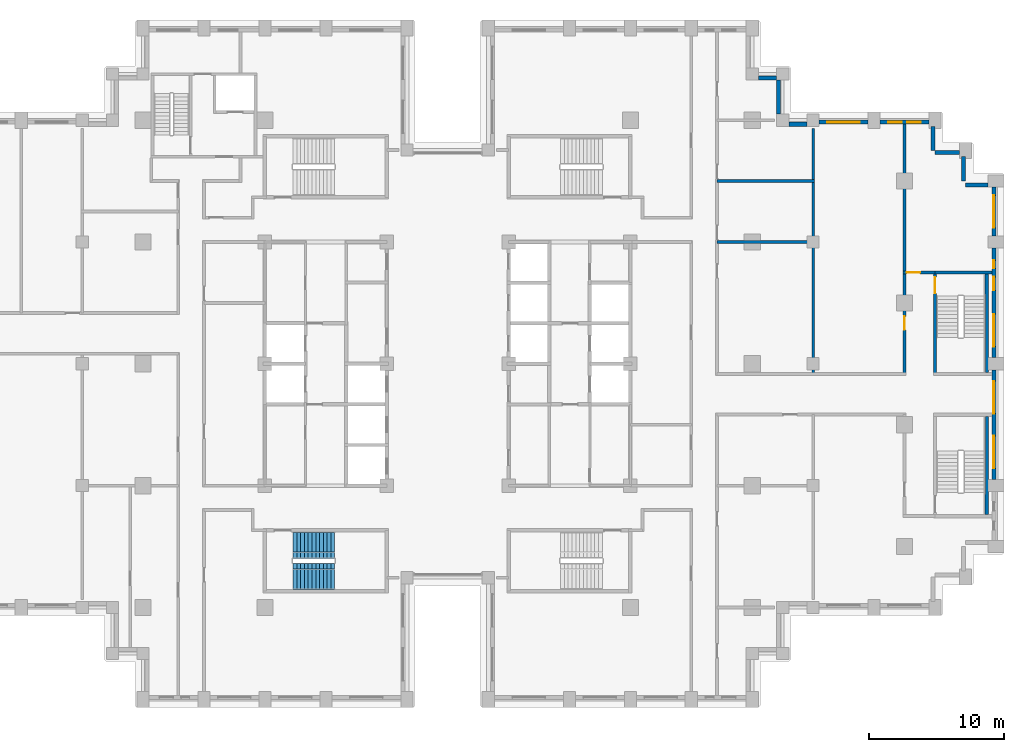
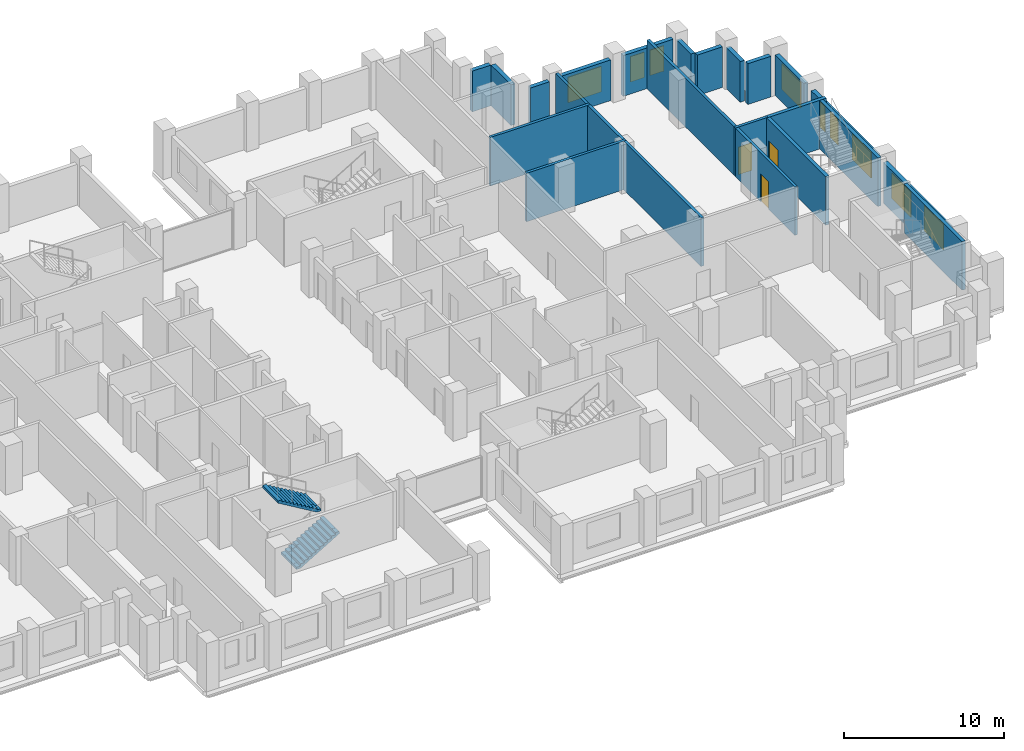
# One storey, part 12 of 15: 21 walls, 9 windows, 3 doors, 2 stair flights, 12 openings, 1 element without a shape of its own.
"""IFC4 building model written with IfcOpenShell, lengths in metres."""

from ifc_helpers import new_model, si_unit, direction, frame, frame_2d, origin, place, context, subcontext, project, spatial, polyline, rectangle, outline, extrude, material, layer, layer_set, type_object, element, fill, aggregate, save


model = new_model("IFC4")

# Units and contexts
model_context = context("Model", 3, precision=1e-05, world=origin(), true_north=direction((0.0, 1.0)))
body_context = subcontext(model_context, "Body", "Model", "MODEL_VIEW")
ifc_project = project(units=[si_unit("LENGTHUNIT", "METRE"), si_unit("AREAUNIT", "SQUARE_METRE"), si_unit("VOLUMEUNIT", "CUBIC_METRE"), si_unit("PLANEANGLEUNIT", "RADIAN"), si_unit("MASSUNIT", "GRAM", prefix="KILO")], contexts=[model_context])

# Site, building, storey
site_placement = place(None, origin())
site = spatial("IfcSite", under=ifc_project, at=site_placement, CompositionType="ELEMENT")
building_placement = place(site_placement, origin())
building = spatial("IfcBuilding", under=site, at=building_placement, Name="Corbelhall Arena Tower", CompositionType="ELEMENT")
storey_placement = place(building_placement, frame((0.0, 0.0, 96.0)))
storey = spatial("IfcBuildingStorey", under=building, at=storey_placement, Name="L16", CompositionType="ELEMENT", Elevation=96.0)

# Walls
ifc_material_1 = material(Name="Precast concrete C40/50 with granite facing", Category="masonry")
ifc_layer_1 = layer(ifc_material_1, 0.300048828125)
ifc_layer_set_1 = layer_set([ifc_layer_1], Name="EV-IW1 Infill panel 300")
wall_type_1 = type_object("IfcWallType", Name="EV-IW1 Infill panel 300", PredefinedType="SOLIDWALL", material=ifc_layer_set_1)
wall_1_placement = place(storey_placement, frame((39.89990234375, 13.199951171875, 0.0), z_axis=(0.0, 0.0, 1.0), x_axis=(-1.0, 0.0, 0.0)))
element("IfcWall", 1, at=wall_1_placement, inside=storey, type_object=wall_type_1, Name="Infill panel IW1", PredefinedType="SOLIDWALL", context=body_context, shape_type="SweptSolid", body=[
    extrude(rectangle(XDim=1.64990234375, YDim=0.300048828125, at=frame_2d((0.824951171875, 0.0))), origin(), (0.0, 0.0, 1.0), 3.10009765625),
])
for number, where, z_axis, x_axis, name in (
    (2, (38.10009765625, 15.300048828125, 0.0), (0.0, 0.0, 1.0), (0.0, -1.0, 0.0), "Infill panel IW1"),
    (3, (37.800048828125, 15.60009765625, 0.0), (0.0, 0.0, 1.0), (-1.0, 0.0, 0.0), "Infill panel IW1"),
    (4, (35.85009765625, 17.550048828125, 0.0), (0.0, 0.0, 1.0), (0.0, -1.0, 0.0), "Infill panel IW1"),
):
    element("IfcWall", number, at=place(storey_placement, frame(where, z_axis=z_axis, x_axis=x_axis)), inside=storey, type_object=wall_type_1, Name=name, PredefinedType="SOLIDWALL", context=body_context, shape_type="SweptSolid", body=[
        extrude(rectangle(XDim=1.800048828125, YDim=0.300048828125, at=frame_2d((0.89990234375, 0.0))), origin(), (0.0, 0.0, 1.0), 3.10009765625),
    ])

# Wall, openings, windows
wall_2_placement = place(storey_placement, frame((40.35009765625, -8.550048828125, 0.0), z_axis=(0.0, 0.0, 1.0), x_axis=(0.0, 1.0, 0.0)))
wall_2 = element("IfcWall", 5, at=wall_2_placement, inside=storey, type_object=wall_type_1, Name="Infill panel IW1", PredefinedType="SOLIDWALL", context=body_context, shape_type="SweptSolid", body=[
    extrude(rectangle(XDim=8.10009765625, YDim=0.300048828125, at=frame_2d((4.050048828125, 0.0))), origin(), (0.0, 0.0, 1.0), 3.10009765625),
])
opening_1_placement = place(wall_2_placement, frame((0.824951171875, 0.0, 0.800048828125)))
opening_1 = element("IfcOpeningElement", 6, at=opening_1_placement, cuts=wall_2, Name="Opening WN1", PredefinedType="OPENING", context=body_context, shape_type="SweptSolid", body=[
    extrude(rectangle(XDim=2.39990234375, YDim=1.949951171875, at=frame_2d((1.199951171875, 0.97509765625))), frame((0.0, 0.14990234375, 0.0), z_axis=(0.0, -1.0, 0.0), x_axis=(1.0, 0.0, 0.0)), (0.0, 0.0, 1.0), 0.300048828125),
])
opening_2_placement = place(wall_2_placement, frame((4.875, 0.0, 0.800048828125)))
opening_2 = element("IfcOpeningElement", 7, at=opening_2_placement, cuts=wall_2, Name="Opening WN1", PredefinedType="OPENING", context=body_context, shape_type="SweptSolid", body=[
    extrude(rectangle(XDim=2.39990234375, YDim=1.949951171875, at=frame_2d((1.199951171875, 0.97509765625))), frame((0.0, 0.14990234375, 0.0), z_axis=(0.0, -1.0, 0.0), x_axis=(1.0, 0.0, 0.0)), (0.0, 0.0, 1.0), 0.300048828125),
])
ifc_material_2 = material(Name="Aluminium black anodised", Category="aluminium")
window_type_1 = type_object("IfcWindowType", Name="EV-WN1 Office window", PartitioningType="SINGLE_PANEL", PredefinedType="WINDOW", material=ifc_material_2)
window_1_placement = place(opening_1_placement, origin())
window_1 = element("IfcWindow", 8, at=window_1_placement, inside=storey, type_object=window_type_1, Name="Window WN1", OverallHeight=1.949951171875, OverallWidth=2.39990234375, PartitioningType="SINGLE_PANEL", PredefinedType="WINDOW", context=body_context, shape_type="SweptSolid", body=[
    extrude(rectangle(XDim=2.39990234375, YDim=1.949951171875, at=frame_2d((1.199951171875, 0.97509765625))), frame((0.0, 0.030029296875, 0.0), z_axis=(0.0, -1.0, 0.0), x_axis=(1.0, 0.0, 0.0)), (0.0, 0.0, 1.0), 0.06005859375),
])
fill(opening_1, window_1)
window_2_placement = place(opening_2_placement, origin())
window_2 = element("IfcWindow", 9, at=window_2_placement, inside=storey, type_object=window_type_1, Name="Window WN1", OverallHeight=1.949951171875, OverallWidth=2.39990234375, PartitioningType="SINGLE_PANEL", PredefinedType="WINDOW", context=body_context, shape_type="SweptSolid", body=[
    extrude(rectangle(XDim=2.39990234375, YDim=1.949951171875, at=frame_2d((1.199951171875, 0.97509765625))), frame((0.0, 0.030029296875, 0.0), z_axis=(0.0, -1.0, 0.0), x_axis=(1.0, 0.0, 0.0)), (0.0, 0.0, 1.0), 0.06005859375),
])
fill(opening_2, window_2)

wall_3_placement = place(storey_placement, frame((40.35009765625, 0.449951171875, 0.0), z_axis=(0.0, 0.0, 1.0), x_axis=(0.0, 1.0, 0.0)))
wall_3 = element("IfcWall", 10, at=wall_3_placement, inside=storey, type_object=wall_type_1, Name="Infill panel IW1", PredefinedType="SOLIDWALL", context=body_context, shape_type="SweptSolid", body=[
    extrude(rectangle(XDim=8.10009765625, YDim=0.300048828125, at=frame_2d((4.050048828125, 0.0))), origin(), (0.0, 0.0, 1.0), 3.10009765625),
])
opening_3_placement = place(wall_3_placement, frame((0.824951171875, 0.0, 0.800048828125)))
opening_3 = element("IfcOpeningElement", 11, at=opening_3_placement, cuts=wall_3, Name="Opening WN1", PredefinedType="OPENING", context=body_context, shape_type="SweptSolid", body=[
    extrude(rectangle(XDim=2.39990234375, YDim=1.949951171875, at=frame_2d((1.199951171875, 0.97509765625))), frame((0.0, 0.14990234375, 0.0), z_axis=(0.0, -1.0, 0.0), x_axis=(1.0, 0.0, 0.0)), (0.0, 0.0, 1.0), 0.300048828125),
])
opening_4_placement = place(wall_3_placement, frame((4.97509765625, 0.0, 0.800048828125)))
opening_4 = element("IfcOpeningElement", 12, at=opening_4_placement, cuts=wall_3, Name="Opening WN6", PredefinedType="OPENING", context=body_context, shape_type="SweptSolid", body=[
    extrude(rectangle(XDim=1.0, YDim=1.949951171875, at=frame_2d((0.5, 0.97509765625))), frame((0.0, 0.14990234375, 0.0), z_axis=(0.0, -1.0, 0.0), x_axis=(1.0, 0.0, 0.0)), (0.0, 0.0, 1.0), 0.300048828125),
])
opening_5_placement = place(wall_3_placement, frame((6.60009765625, 0.0, 0.800048828125)))
opening_5 = element("IfcOpeningElement", 13, at=opening_5_placement, cuts=wall_3, Name="Opening WN5", PredefinedType="OPENING", context=body_context, shape_type="SweptSolid", body=[
    extrude(rectangle(XDim=0.60009765625, YDim=1.949951171875, at=frame_2d((0.300048828125, 0.97509765625))), frame((0.0, 0.14990234375, 0.0), z_axis=(0.0, -1.0, 0.0), x_axis=(1.0, 0.0, 0.0)), (0.0, 0.0, 1.0), 0.300048828125),
])
window_3_placement = place(opening_3_placement, origin())
window_3 = element("IfcWindow", 14, at=window_3_placement, inside=storey, type_object=window_type_1, Name="Window WN1", OverallHeight=1.949951171875, OverallWidth=2.39990234375, PartitioningType="SINGLE_PANEL", PredefinedType="WINDOW", context=body_context, shape_type="SweptSolid", body=[
    extrude(rectangle(XDim=2.39990234375, YDim=1.949951171875, at=frame_2d((1.199951171875, 0.97509765625))), frame((0.0, 0.030029296875, 0.0), z_axis=(0.0, -1.0, 0.0), x_axis=(1.0, 0.0, 0.0)), (0.0, 0.0, 1.0), 0.06005859375),
])
fill(opening_3, window_3)
window_type_2 = type_object("IfcWindowType", Name="EV-WN5 Office window 600", PartitioningType="SINGLE_PANEL", PredefinedType="WINDOW", material=ifc_material_2)
window_4_placement = place(opening_5_placement, origin())
window_4 = element("IfcWindow", 15, at=window_4_placement, inside=storey, type_object=window_type_2, Name="Window WN5", OverallHeight=1.949951171875, OverallWidth=0.60009765625, PartitioningType="SINGLE_PANEL", PredefinedType="WINDOW", context=body_context, shape_type="SweptSolid", body=[
    extrude(rectangle(XDim=0.60009765625, YDim=1.949951171875, at=frame_2d((0.300048828125, 0.97509765625))), frame((0.0, 0.030029296875, 0.0), z_axis=(0.0, -1.0, 0.0), x_axis=(1.0, 0.0, 0.0)), (0.0, 0.0, 1.0), 0.06005859375),
])
fill(opening_5, window_4)
window_type_3 = type_object("IfcWindowType", Name="EV-WN6 Office window 1000", PartitioningType="SINGLE_PANEL", PredefinedType="WINDOW", material=ifc_material_2)
window_5_placement = place(opening_4_placement, origin())
window_5 = element("IfcWindow", 16, at=window_5_placement, inside=storey, type_object=window_type_3, Name="Window WN6", OverallHeight=1.949951171875, OverallWidth=1.0, PartitioningType="SINGLE_PANEL", PredefinedType="WINDOW", context=body_context, shape_type="SweptSolid", body=[
    extrude(rectangle(XDim=1.0, YDim=1.949951171875, at=frame_2d((0.5, 0.97509765625))), frame((0.0, 0.030029296875, 0.0), z_axis=(0.0, -1.0, 0.0), x_axis=(1.0, 0.0, 0.0)), (0.0, 0.0, 1.0), 0.06005859375),
])
fill(opening_4, window_5)

# Wall, opening, window
wall_4_placement = place(storey_placement, frame((40.35009765625, 9.449951171875, 0.0), z_axis=(0.0, 0.0, 1.0), x_axis=(0.0, 1.0, 0.0)))
wall_4 = element("IfcWall", 17, at=wall_4_placement, inside=storey, type_object=wall_type_1, Name="Infill panel IW1", PredefinedType="SOLIDWALL", context=body_context, shape_type="SweptSolid", body=[
    extrude(rectangle(XDim=3.60009765625, YDim=0.300048828125, at=frame_2d((1.800048828125, 0.0))), origin(), (0.0, 0.0, 1.0), 3.10009765625),
])
opening_6_placement = place(wall_4_placement, frame((0.60009765625, 0.0, 0.800048828125)))
opening_6 = element("IfcOpeningElement", 18, at=opening_6_placement, cuts=wall_4, Name="Opening WN1", PredefinedType="OPENING", context=body_context, shape_type="SweptSolid", body=[
    extrude(rectangle(XDim=2.39990234375, YDim=1.949951171875, at=frame_2d((1.199951171875, 0.97509765625))), frame((0.0, 0.14990234375, 0.0), z_axis=(0.0, -1.0, 0.0), x_axis=(1.0, 0.0, 0.0)), (0.0, 0.0, 1.0), 0.300048828125),
])
window_6_placement = place(opening_6_placement, origin())
window_6 = element("IfcWindow", 19, at=window_6_placement, inside=storey, type_object=window_type_1, Name="Window WN1", OverallHeight=1.949951171875, OverallWidth=2.39990234375, PartitioningType="SINGLE_PANEL", PredefinedType="WINDOW", context=body_context, shape_type="SweptSolid", body=[
    extrude(rectangle(XDim=2.39990234375, YDim=1.949951171875, at=frame_2d((1.199951171875, 0.97509765625))), frame((0.0, 0.030029296875, 0.0), z_axis=(0.0, -1.0, 0.0), x_axis=(1.0, 0.0, 0.0)), (0.0, 0.0, 1.0), 0.06005859375),
])
fill(opening_6, window_6)

# Wall, openings, windows
wall_5_placement = place(storey_placement, frame((35.550048828125, 17.85009765625, 0.0), z_axis=(0.0, 0.0, 1.0), x_axis=(-1.0, 0.0, 0.0)))
wall_5 = element("IfcWall", 20, at=wall_5_placement, inside=storey, type_object=wall_type_1, Name="Infill panel IW1", PredefinedType="SOLIDWALL", context=body_context, shape_type="SweptSolid", body=[
    extrude(rectangle(XDim=3.60009765625, YDim=0.300048828125, at=frame_2d((1.800048828125, 0.0))), origin(), (0.0, 0.0, 1.0), 3.10009765625),
])
opening_7_placement = place(wall_5_placement, frame((0.60009765625, 0.0, 0.800048828125)))
opening_7 = element("IfcOpeningElement", 21, at=opening_7_placement, cuts=wall_5, Name="Opening WN6", PredefinedType="OPENING", context=body_context, shape_type="SweptSolid", body=[
    extrude(rectangle(XDim=1.0, YDim=1.949951171875, at=frame_2d((0.5, 0.97509765625))), frame((0.0, 0.14990234375, 0.0), z_axis=(0.0, -1.0, 0.0), x_axis=(1.0, 0.0, 0.0)), (0.0, 0.0, 1.0), 0.300048828125),
])
opening_8_placement = place(wall_5_placement, frame((2.0, 0.0, 0.800048828125)))
opening_8 = element("IfcOpeningElement", 22, at=opening_8_placement, cuts=wall_5, Name="Opening WN6", PredefinedType="OPENING", context=body_context, shape_type="SweptSolid", body=[
    extrude(rectangle(XDim=1.0, YDim=1.949951171875, at=frame_2d((0.5, 0.97509765625))), frame((0.0, 0.14990234375, 0.0), z_axis=(0.0, -1.0, 0.0), x_axis=(1.0, 0.0, 0.0)), (0.0, 0.0, 1.0), 0.300048828125),
])
window_7_placement = place(opening_7_placement, origin())
window_7 = element("IfcWindow", 23, at=window_7_placement, inside=storey, type_object=window_type_3, Name="Window WN6", OverallHeight=1.949951171875, OverallWidth=1.0, PartitioningType="SINGLE_PANEL", PredefinedType="WINDOW", context=body_context, shape_type="SweptSolid", body=[
    extrude(rectangle(XDim=1.0, YDim=1.949951171875, at=frame_2d((0.5, 0.97509765625))), frame((0.0, 0.030029296875, 0.0), z_axis=(0.0, -1.0, 0.0), x_axis=(1.0, 0.0, 0.0)), (0.0, 0.0, 1.0), 0.06005859375),
])
fill(opening_7, window_7)
window_8_placement = place(opening_8_placement, origin())
window_8 = element("IfcWindow", 24, at=window_8_placement, inside=storey, type_object=window_type_3, Name="Window WN6", OverallHeight=1.949951171875, OverallWidth=1.0, PartitioningType="SINGLE_PANEL", PredefinedType="WINDOW", context=body_context, shape_type="SweptSolid", body=[
    extrude(rectangle(XDim=1.0, YDim=1.949951171875, at=frame_2d((0.5, 0.97509765625))), frame((0.0, 0.030029296875, 0.0), z_axis=(0.0, -1.0, 0.0), x_axis=(1.0, 0.0, 0.0)), (0.0, 0.0, 1.0), 0.06005859375),
])
fill(opening_8, window_8)

# Wall, opening, window
wall_6_placement = place(storey_placement, frame((31.050048828125, 17.85009765625, 0.0), z_axis=(0.0, 0.0, 1.0), x_axis=(-1.0, 0.0, 0.0)))
wall_6 = element("IfcWall", 25, at=wall_6_placement, inside=storey, type_object=wall_type_1, Name="Infill panel IW1", PredefinedType="SOLIDWALL", context=body_context, shape_type="SweptSolid", body=[
    extrude(rectangle(XDim=3.60009765625, YDim=0.300048828125, at=frame_2d((1.800048828125, 0.0))), origin(), (0.0, 0.0, 1.0), 3.10009765625),
])
opening_9_placement = place(wall_6_placement, frame((0.60009765625, 0.0, 0.800048828125)))
opening_9 = element("IfcOpeningElement", 26, at=opening_9_placement, cuts=wall_6, Name="Opening WN1", PredefinedType="OPENING", context=body_context, shape_type="SweptSolid", body=[
    extrude(rectangle(XDim=2.39990234375, YDim=1.949951171875, at=frame_2d((1.199951171875, 0.97509765625))), frame((0.0, 0.14990234375, 0.0), z_axis=(0.0, -1.0, 0.0), x_axis=(1.0, 0.0, 0.0)), (0.0, 0.0, 1.0), 0.300048828125),
])
window_9_placement = place(opening_9_placement, origin())
window_9 = element("IfcWindow", 27, at=window_9_placement, inside=storey, type_object=window_type_1, Name="Window WN1", OverallHeight=1.949951171875, OverallWidth=2.39990234375, PartitioningType="SINGLE_PANEL", PredefinedType="WINDOW", context=body_context, shape_type="SweptSolid", body=[
    extrude(rectangle(XDim=2.39990234375, YDim=1.949951171875, at=frame_2d((1.199951171875, 0.97509765625))), frame((0.0, 0.030029296875, 0.0), z_axis=(0.0, -1.0, 0.0), x_axis=(1.0, 0.0, 0.0)), (0.0, 0.0, 1.0), 0.06005859375),
])
fill(opening_9, window_9)

# Walls
wall_7_placement = place(storey_placement, frame((26.550048828125, 17.699951171875, 0.0), z_axis=(0.0, 0.0, 1.0), x_axis=(-1.0, 0.0, 0.0)))
element("IfcWall", 28, at=wall_7_placement, inside=storey, type_object=wall_type_1, Name="Infill panel IW1", PredefinedType="SOLIDWALL", context=body_context, shape_type="SweptSolid", body=[
    extrude(rectangle(XDim=1.35009765625, YDim=0.300048828125, at=frame_2d((0.675048828125, 0.0))), origin(), (0.0, 0.0, 1.0), 3.10009765625),
])
wall_8_placement = place(storey_placement, frame((24.449951171875, 18.449951171875, 0.0), z_axis=(0.0, 0.0, 1.0), x_axis=(0.0, 1.0, 0.0)))
element("IfcWall", 29, at=wall_8_placement, inside=storey, type_object=wall_type_1, Name="Infill panel IW1", PredefinedType="SOLIDWALL", context=body_context, shape_type="SweptSolid", body=[
    extrude(rectangle(XDim=2.5, YDim=0.300048828125, at=frame_2d((1.25, 0.0))), origin(), (0.0, 0.0, 1.0), 3.10009765625),
])
wall_9_placement = place(storey_placement, frame((24.300048828125, 21.10009765625, 0.0), z_axis=(0.0, 0.0, 1.0), x_axis=(-1.0, 0.0, 0.0)))
element("IfcWall", 30, at=wall_9_placement, inside=storey, type_object=wall_type_1, Name="Infill panel IW1", PredefinedType="SOLIDWALL", context=body_context, shape_type="SweptSolid", body=[
    extrude(rectangle(XDim=1.35009765625, YDim=0.300048828125, at=frame_2d((0.675048828125, 0.0))), origin(), (0.0, 0.0, 1.0), 3.10009765625),
])
ifc_material_3 = material(Name="Gypsum board on steel stud, acoustic", Category="steel")
ifc_layer_2 = layer(ifc_material_3, 0.199951171875)
ifc_layer_set_2 = layer_set([ifc_layer_2], Name="IN-W-DM200")
wall_type_2 = type_object("IfcWallType", Name="IN-W-DM200", PredefinedType="PARTITIONING", material=ifc_layer_set_2)
for number, where, z_axis, x_axis, name in (
    (31, (19.89990234375, 9.0, 0.0), (0.0, 0.0, 1.0), (1.0, 0.0, 0.0), "Partition 052"),
    (32, (19.89990234375, 13.5, 0.0), (0.0, 0.0, 1.0), (1.0, 0.0, 0.0), "Partition 054"),
):
    element("IfcWall", number, at=place(storey_placement, frame(where, z_axis=z_axis, x_axis=x_axis)), inside=storey, type_object=wall_type_2, Name=name, PredefinedType="PARTITIONING", context=body_context, shape_type="SweptSolid", body=[
        extrude(rectangle(XDim=7.2001953125, YDim=0.199951171875, at=frame_2d((3.60009765625, 0.0))), origin(), (0.0, 0.0, 1.0), 3.699951171875),
    ])
wall_10_placement = place(storey_placement, frame((27.0, 17.39990234375, 0.0), z_axis=(0.0, 0.0, 1.0), x_axis=(0.0, -1.0, 0.0)))
element("IfcWall", 33, at=wall_10_placement, inside=storey, type_object=wall_type_2, Name="Partition 057", PredefinedType="PARTITIONING", context=body_context, shape_type="SweptSolid", body=[
    extrude(rectangle(XDim=18.14990234375, YDim=0.199951171875, at=frame_2d((9.074951171875, 0.0))), origin(), (0.0, 0.0, 1.0), 3.699951171875),
])

# Wall, opening, door
wall_11_placement = place(storey_placement, frame((33.64990234375, 6.75, 0.0), z_axis=(0.0, 0.0, 1.0), x_axis=(1.0, 0.0, 0.0)))
wall_11 = element("IfcWall", 34, at=wall_11_placement, inside=storey, type_object=wall_type_2, Name="Partition 059", PredefinedType="PARTITIONING", context=body_context, shape_type="SweptSolid", body=[
    extrude(rectangle(XDim=2.35009765625, YDim=0.199951171875, at=frame_2d((1.175048828125, 0.0))), origin(), (0.0, 0.0, 1.0), 3.699951171875),
])
opening_10_placement = place(wall_11_placement, frame((0.25, 0.0, 0.0)))
opening_10 = element("IfcOpeningElement", 35, at=opening_10_placement, cuts=wall_11, Name="Opening 03046", PredefinedType="OPENING", context=body_context, shape_type="SweptSolid", body=[
    extrude(rectangle(XDim=1.0, YDim=2.10009765625, at=frame_2d((0.5, 1.050048828125))), frame((0.0, 0.10009765625, 0.0), z_axis=(0.0, -1.0, 0.0), x_axis=(1.0, 0.0, 0.0)), (0.0, 0.0, 1.0), 0.199951171875),
])
ifc_material_4 = material(Name="Steel door set", Category="steel")
door_type_1 = type_object("IfcDoorType", Name="IN-D-SW100", OperationType="NOTDEFINED", PredefinedType="DOOR", material=ifc_material_4)
door_1_placement = place(opening_10_placement, origin())
door_1 = element("IfcDoor", 36, at=door_1_placement, inside=storey, type_object=door_type_1, Name="Door 046", OperationType="SINGLE_SWING_LEFT", OverallHeight=2.10009765625, OverallWidth=1.0, PredefinedType="DOOR", context=body_context, shape_type="SweptSolid", body=[
    extrude(rectangle(XDim=1.0, YDim=2.10009765625, at=frame_2d((0.5, 1.050048828125))), frame((0.0, 0.02490234375, 0.0), z_axis=(0.0, -1.0, 0.0), x_axis=(1.0, 0.0, 0.0)), (0.0, 0.0, 1.0), 0.050048828125),
])
fill(opening_10, door_1)

wall_12_placement = place(storey_placement, frame((33.75, -0.75, 0.0), z_axis=(0.0, 0.0, 1.0), x_axis=(0.0, 1.0, 0.0)))
wall_12 = element("IfcWall", 37, at=wall_12_placement, inside=storey, type_object=wall_type_2, Name="Partition 061", PredefinedType="PARTITIONING", context=body_context, shape_type="SweptSolid", body=[
    extrude(rectangle(XDim=18.449951171875, YDim=0.199951171875, at=frame_2d((9.22509765625, 0.0))), origin(), (0.0, 0.0, 1.0), 3.699951171875),
])
opening_11_placement = place(wall_12_placement, frame((3.25, 0.0, 0.0)))
opening_11 = element("IfcOpeningElement", 38, at=opening_11_placement, cuts=wall_12, Name="Opening 03045", PredefinedType="OPENING", context=body_context, shape_type="SweptSolid", body=[
    extrude(rectangle(XDim=1.0, YDim=2.10009765625, at=frame_2d((0.5, 1.050048828125))), frame((0.0, 0.10009765625, 0.0), z_axis=(0.0, -1.0, 0.0), x_axis=(1.0, 0.0, 0.0)), (0.0, 0.0, 1.0), 0.199951171875),
])
door_2_placement = place(opening_11_placement, origin())
door_2 = element("IfcDoor", 39, at=door_2_placement, inside=storey, type_object=door_type_1, Name="Door 045", OperationType="SINGLE_SWING_RIGHT", OverallHeight=2.10009765625, OverallWidth=1.0, PredefinedType="DOOR", context=body_context, shape_type="SweptSolid", body=[
    extrude(rectangle(XDim=1.0, YDim=2.10009765625, at=frame_2d((0.5, 1.050048828125))), frame((0.0, 0.02490234375, 0.0), z_axis=(0.0, -1.0, 0.0), x_axis=(1.0, 0.0, 0.0)), (0.0, 0.0, 1.0), 0.050048828125),
])
fill(opening_11, door_2)

ifc_material_5 = material(Name="Concrete C40/50", Category="concrete")
ifc_layer_3 = layer(ifc_material_5, 0.25)
ifc_layer_set_3 = layer_set([ifc_layer_3], Name="IN-W-ST250")
wall_type_3 = type_object("IfcWallType", Name="IN-W-ST250", PredefinedType="SOLIDWALL", material=ifc_layer_set_3)
wall_13_placement = place(storey_placement, frame((36.0, -0.75, 0.0), z_axis=(0.0, 0.0, 1.0), x_axis=(0.0, 1.0, 0.0)))
wall_13 = element("IfcWall", 40, at=wall_13_placement, inside=storey, type_object=wall_type_3, Name="Shaft wall 119", PredefinedType="SOLIDWALL", context=body_context, shape_type="SweptSolid", body=[
    extrude(rectangle(XDim=7.625, YDim=0.25, at=frame_2d((3.8125, 0.0))), origin(), (0.0, 0.0, 1.0), 3.699951171875),
])
opening_12_placement = place(wall_13_placement, frame((5.949951171875, 0.0, 0.0)))
opening_12 = element("IfcOpeningElement", 41, at=opening_12_placement, cuts=wall_13, Name="Opening 03020", PredefinedType="OPENING", context=body_context, shape_type="SweptSolid", body=[
    extrude(rectangle(XDim=1.199951171875, YDim=2.10009765625, at=frame_2d((0.60009765625, 1.050048828125))), frame((0.0, 0.125, 0.0), z_axis=(0.0, -1.0, 0.0), x_axis=(1.0, 0.0, 0.0)), (0.0, 0.0, 1.0), 0.25),
])
door_type_2 = type_object("IfcDoorType", Name="IN-D-ST120", OperationType="NOTDEFINED", PredefinedType="DOOR", material=ifc_material_4)
door_3_placement = place(opening_12_placement, origin())
door_3 = element("IfcDoor", 42, at=door_3_placement, inside=storey, type_object=door_type_2, Name="Door 020", OperationType="SINGLE_SWING_LEFT", OverallHeight=2.10009765625, OverallWidth=1.199951171875, PredefinedType="DOOR", context=body_context, shape_type="SweptSolid", body=[
    extrude(rectangle(XDim=1.199951171875, YDim=2.10009765625, at=frame_2d((0.60009765625, 1.050048828125))), frame((0.0, 0.02490234375, 0.0), z_axis=(0.0, -1.0, 0.0), x_axis=(1.0, 0.0, 0.0)), (0.0, 0.0, 1.0), 0.050048828125),
])
fill(opening_12, door_3)

# Walls
wall_14_placement = place(storey_placement, frame((36.0, 6.75, 0.0), z_axis=(0.0, 0.0, 1.0), x_axis=(1.0, 0.0, 0.0)))
element("IfcWall", 43, at=wall_14_placement, inside=storey, type_object=wall_type_3, Name="Shaft wall 120", PredefinedType="SOLIDWALL", context=body_context, shape_type="SweptSolid", body=[
    extrude(rectangle(XDim=4.199951171875, YDim=0.25, at=frame_2d((2.10009765625, 0.0))), origin(), (0.0, 0.0, 1.0), 3.699951171875),
])
for number, where, z_axis, x_axis, name in (
    (44, (39.824951171875, -11.125, 0.0), (0.0, 0.0, 1.0), (0.0, 1.0, 0.0), "Shaft wall SD1 facade side"),
    (45, (39.824951171875, -0.625, 0.0), (0.0, 0.0, 1.0), (0.0, 1.0, 0.0), "Shaft wall SD2 facade side"),
):
    element("IfcWall", number, at=place(storey_placement, frame(where, z_axis=z_axis, x_axis=x_axis)), inside=storey, type_object=wall_type_3, Name=name, PredefinedType="SOLIDWALL", context=body_context, shape_type="SweptSolid", body=[
        extrude(rectangle(XDim=7.25, YDim=0.25, at=frame_2d((3.625, 0.0))), origin(), (0.0, 0.0, 1.0), 3.699951171875),
    ])

# Stair, stair flights
stair_type = type_object("IfcStairType", Name="IN-ST-TOWER", PredefinedType="HALF_TURN_STAIR", material=ifc_material_5)
stair_placement = place(storey_placement, origin())
stair = element("IfcStair", 46, at=stair_placement, inside=storey, type_object=stair_type, Name="L16 Exit stair ST2", PredefinedType="HALF_TURN_STAIR")
stair_flight_type = type_object("IfcStairFlightType", Name="IN-SFL-RC", PredefinedType="STRAIGHT", material=ifc_material_5)
stair_flight_1_placement = place(storey_placement, frame((-11.425048828125, -15.699951171875, 0.0), z_axis=(0.0, 0.0, 1.0), x_axis=(1.0, 0.0, 0.0)))
stair_flight_1 = element("IfcStairFlight", 47, at=stair_flight_1_placement, type_object=stair_flight_type, Name="ST2 flight 1", NumberOfRisers=12, NumberOfTreads=11, PredefinedType="STRAIGHT", RiserHeight=0.166666667, TreadLength=0.28, context=body_context, shape_type="SweptSolid", body=[
    extrude(outline(polyline([(0.0, 0.0), (0.0, 0.166748046875), (0.280029296875, 0.166748046875), (0.280029296875, 0.333251953125), (0.56005859375, 0.333251953125), (0.56005859375, 0.5), (0.840087890625, 0.5), (0.840087890625, 0.666748046875), (1.1201171875, 0.666748046875), (1.1201171875, 0.833251953125), (1.39990234375, 0.833251953125), (1.39990234375, 1.0), (1.679931640625, 1.0), (1.679931640625, 1.166748046875), (1.9599609375, 1.166748046875), (1.9599609375, 1.333251953125), (2.239990234375, 1.333251953125), (2.239990234375, 1.5), (2.52001953125, 1.5), (2.52001953125, 1.666748046875), (2.800048828125, 1.666748046875), (2.800048828125, 1.833251953125), (3.080078125, 1.833251953125), (3.080078125, 2.0), (3.080078125, 1.658935546875), (0.29296875, 0.0), (0.0, 0.0)])), frame((0.0, 0.97509765625, 0.0), z_axis=(0.0, -1.0, 0.0), x_axis=(1.0, 0.0, 0.0)), (0.0, 0.0, 1.0), 0.449951171875),
    extrude(outline(polyline([(0.0, 0.0), (0.0, 0.166748046875), (0.280029296875, 0.166748046875), (0.280029296875, 0.333251953125), (0.56005859375, 0.333251953125), (0.56005859375, 0.5), (0.840087890625, 0.5), (0.840087890625, 0.666748046875), (1.1201171875, 0.666748046875), (1.1201171875, 0.833251953125), (1.39990234375, 0.833251953125), (1.39990234375, 1.0), (1.679931640625, 1.0), (1.679931640625, 1.166748046875), (1.9599609375, 1.166748046875), (1.9599609375, 1.333251953125), (2.239990234375, 1.333251953125), (2.239990234375, 1.5), (2.52001953125, 1.5), (2.52001953125, 1.666748046875), (2.800048828125, 1.666748046875), (2.800048828125, 1.833251953125), (3.080078125, 1.833251953125), (3.080078125, 2.0), (3.080078125, 1.658935546875), (0.29296875, 0.0), (0.0, 0.0)])), frame((0.0, 0.52099609375, 0.0), z_axis=(0.0, -1.0, 0.0), x_axis=(1.0, 0.0, 0.0)), (0.0, 0.0, 1.0), 1.0419921875),
    extrude(outline(polyline([(0.0, 0.0), (0.0, 0.166748046875), (0.280029296875, 0.166748046875), (0.280029296875, 0.333251953125), (0.56005859375, 0.333251953125), (0.56005859375, 0.5), (0.840087890625, 0.5), (0.840087890625, 0.666748046875), (1.1201171875, 0.666748046875), (1.1201171875, 0.833251953125), (1.39990234375, 0.833251953125), (1.39990234375, 1.0), (1.679931640625, 1.0), (1.679931640625, 1.166748046875), (1.9599609375, 1.166748046875), (1.9599609375, 1.333251953125), (2.239990234375, 1.333251953125), (2.239990234375, 1.5), (2.52001953125, 1.5), (2.52001953125, 1.666748046875), (2.800048828125, 1.666748046875), (2.800048828125, 1.833251953125), (3.080078125, 1.833251953125), (3.080078125, 2.0), (3.080078125, 1.658935546875), (0.29296875, 0.0), (0.0, 0.0)])), frame((0.0, -0.52490234375, 0.0), z_axis=(0.0, -1.0, 0.0), x_axis=(1.0, 0.0, 0.0)), (0.0, 0.0, 1.0), 0.449951171875),
])
stair_flight_2_placement = place(storey_placement, frame((-8.344970703125, -13.39990234375, 2.0), z_axis=(0.0, 0.0, 1.0), x_axis=(-1.0, 0.0, 0.0)))
stair_flight_2 = element("IfcStairFlight", 48, at=stair_flight_2_placement, type_object=stair_flight_type, Name="ST2 flight 2", NumberOfRisers=12, NumberOfTreads=11, PredefinedType="STRAIGHT", RiserHeight=0.166666667, TreadLength=0.28, context=body_context, shape_type="SweptSolid", body=[
    extrude(outline(polyline([(0.0, 0.0), (0.0, 0.166748046875), (0.280029296875, 0.166748046875), (0.280029296875, 0.333251953125), (0.56005859375, 0.333251953125), (0.56005859375, 0.5), (0.840087890625, 0.5), (0.840087890625, 0.666748046875), (1.1201171875, 0.666748046875), (1.1201171875, 0.833251953125), (1.39990234375, 0.833251953125), (1.39990234375, 1.0), (1.679931640625, 1.0), (1.679931640625, 1.166748046875), (1.9599609375, 1.166748046875), (1.9599609375, 1.333251953125), (2.239990234375, 1.333251953125), (2.239990234375, 1.5), (2.52001953125, 1.5), (2.52001953125, 1.666748046875), (2.800048828125, 1.666748046875), (2.800048828125, 1.833251953125), (3.080078125, 1.833251953125), (3.080078125, 2.0), (3.080078125, 1.658935546875), (0.29296875, 0.0), (0.0, 0.0)])), frame((0.0, 0.97509765625, 0.0), z_axis=(0.0, -1.0, 0.0), x_axis=(1.0, 0.0, 0.0)), (0.0, 0.0, 1.0), 0.449951171875),
    extrude(outline(polyline([(0.0, 0.0), (0.0, 0.166748046875), (0.280029296875, 0.166748046875), (0.280029296875, 0.333251953125), (0.56005859375, 0.333251953125), (0.56005859375, 0.5), (0.840087890625, 0.5), (0.840087890625, 0.666748046875), (1.1201171875, 0.666748046875), (1.1201171875, 0.833251953125), (1.39990234375, 0.833251953125), (1.39990234375, 1.0), (1.679931640625, 1.0), (1.679931640625, 1.166748046875), (1.9599609375, 1.166748046875), (1.9599609375, 1.333251953125), (2.239990234375, 1.333251953125), (2.239990234375, 1.5), (2.52001953125, 1.5), (2.52001953125, 1.666748046875), (2.800048828125, 1.666748046875), (2.800048828125, 1.833251953125), (3.080078125, 1.833251953125), (3.080078125, 2.0), (3.080078125, 1.658935546875), (0.29296875, 0.0), (0.0, 0.0)])), frame((0.0, 0.52099609375, 0.0), z_axis=(0.0, -1.0, 0.0), x_axis=(1.0, 0.0, 0.0)), (0.0, 0.0, 1.0), 1.0419921875),
    extrude(outline(polyline([(0.0, 0.0), (0.0, 0.166748046875), (0.280029296875, 0.166748046875), (0.280029296875, 0.333251953125), (0.56005859375, 0.333251953125), (0.56005859375, 0.5), (0.840087890625, 0.5), (0.840087890625, 0.666748046875), (1.1201171875, 0.666748046875), (1.1201171875, 0.833251953125), (1.39990234375, 0.833251953125), (1.39990234375, 1.0), (1.679931640625, 1.0), (1.679931640625, 1.166748046875), (1.9599609375, 1.166748046875), (1.9599609375, 1.333251953125), (2.239990234375, 1.333251953125), (2.239990234375, 1.5), (2.52001953125, 1.5), (2.52001953125, 1.666748046875), (2.800048828125, 1.666748046875), (2.800048828125, 1.833251953125), (3.080078125, 1.833251953125), (3.080078125, 2.0), (3.080078125, 1.658935546875), (0.29296875, 0.0), (0.0, 0.0)])), frame((0.0, -0.52490234375, 0.0), z_axis=(0.0, -1.0, 0.0), x_axis=(1.0, 0.0, 0.0)), (0.0, 0.0, 1.0), 0.449951171875),
])
aggregate(stair, [stair_flight_1, stair_flight_2])

save(model, "model.ifc")
